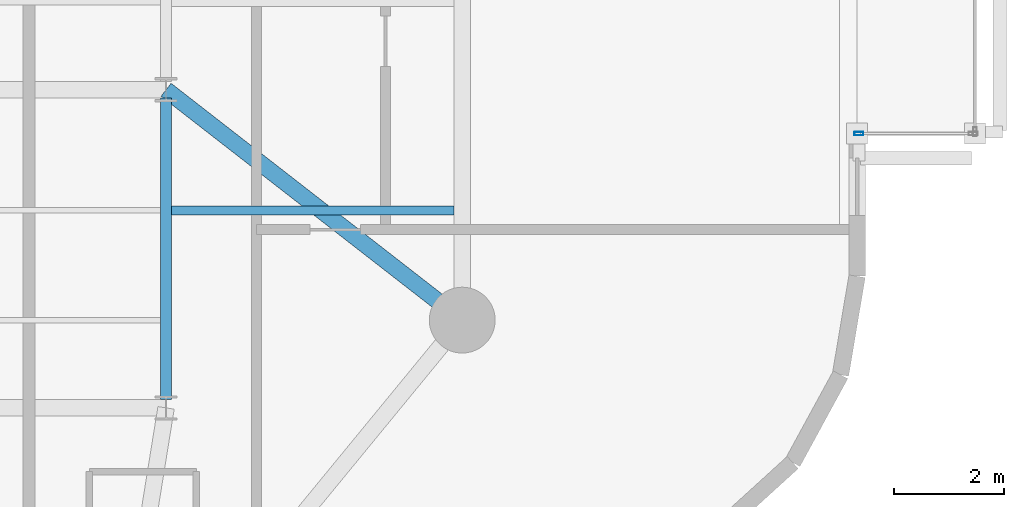
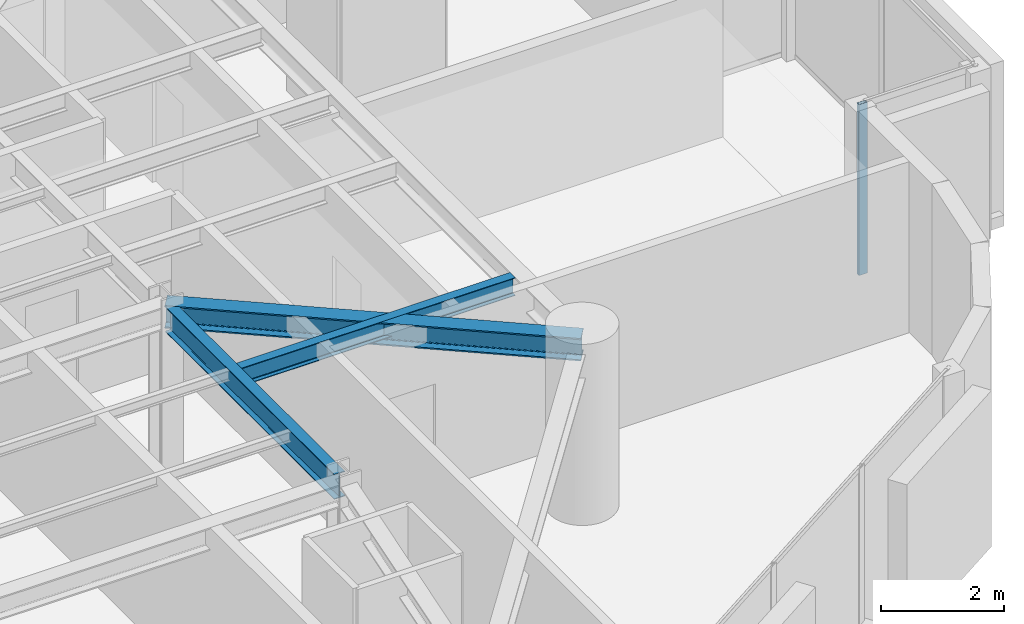
# One storey, part 3 of 16: 3 beams, 1 member, 1 element without a shape of its own.
"""IFC4 building model written with IfcOpenShell, lengths in metres."""

from ifc_helpers import new_model, si_unit, direction, frame, origin, origin_2d, place, context, subcontext, project, spatial, hollow_rectangle, i_section, extrude, material, layer, layer_set, material_profile, profile_set, type_object, element, aggregate, save


model = new_model("IFC4")

# Units and contexts
model_context = context("Model", 3, precision=1e-05, world=origin(), true_north=direction((0.0, 1.0)))
body_context = subcontext(model_context, "Body", "Model", "MODEL_VIEW")
ifc_project = project(units=[si_unit("LENGTHUNIT", "METRE"), si_unit("AREAUNIT", "SQUARE_METRE"), si_unit("VOLUMEUNIT", "CUBIC_METRE"), si_unit("PLANEANGLEUNIT", "RADIAN"), si_unit("MASSUNIT", "GRAM", prefix="KILO")], contexts=[model_context])

# Site, building, storey
site_placement = place(None, origin())
site = spatial("IfcSite", under=ifc_project, at=site_placement, CompositionType="ELEMENT")
building_placement = place(site_placement, origin())
building = spatial("IfcBuilding", under=site, at=building_placement, Name="An Khanh Terracotta Commons", CompositionType="ELEMENT")
storey_placement = place(building_placement, frame((0.0, 0.0, 151.0)))
storey = spatial("IfcBuildingStorey", under=building, at=storey_placement, Name="L39", CompositionType="ELEMENT", Elevation=151.0)

# Beams
ifc_material_1 = material(Name="Steel S355J2", Category="steel")
ifc_material_profile_1 = material_profile(ifc_material_1, i_section(OverallWidth=0.300048828125, OverallDepth=0.449951171875, WebThickness=0.013916015625, FlangeThickness=0.02587890625, FilletRadius=0.027099609375, at=origin_2d()), Name="HEB450")
ifc_profile_set_1 = profile_set([ifc_material_profile_1], Name="Steel S355J2")
beam_type_1 = type_object("IfcBeamType", Name="BM-HEB450", PredefinedType="BEAM", material=ifc_profile_set_1)
beam_1_placement = place(storey_placement, frame((55.800048828125, 16.0, 3.175048828125), z_axis=(-0.789363746927, 0.61392578952, 0.0), x_axis=(-0.61392578952, -0.789363746927, 0.0)))
element("IfcBeam", 1, at=beam_1_placement, inside=storey, type_object=beam_type_1, Name="L39 Mega-Column Tie Girder 3", PredefinedType="BEAM", context=body_context, shape_type="SweptSolid", body=[
    extrude(i_section(OverallWidth=0.300048828125, OverallDepth=0.449951171875, WebThickness=0.013916015625, FlangeThickness=0.02587890625, FilletRadius=0.027099609375, at=origin_2d()), origin(), (0.0, 0.0, 1.0), 6.841064453125),
])
ifc_material_profile_2 = material_profile(ifc_material_1, i_section(OverallWidth=0.169921875, OverallDepth=0.360107421875, WebThickness=0.008056640625, FlangeThickness=0.0126953125, FilletRadius=0.01806640625, at=origin_2d()), Name="IPE360")
ifc_profile_set_2 = profile_set([ifc_material_profile_2], Name="Steel S355J2")
beam_type_2 = type_object("IfcBeamType", Name="BM-IPE360", PredefinedType="JOIST", material=ifc_profile_set_2)
beam_2_placement = place(storey_placement, frame((50.5, 18.0, 3.219970703125), z_axis=(1.0, 0.0, 0.0), x_axis=(0.0, 1.0, 0.0)))
element("IfcBeam", 2, at=beam_2_placement, inside=storey, type_object=beam_type_2, Name="L39 Riverfront Composite Joist 2", PredefinedType="JOIST", context=body_context, shape_type="SweptSolid", body=[
    extrude(i_section(OverallWidth=0.169921875, OverallDepth=0.360107421875, WebThickness=0.008056640625, FlangeThickness=0.0126953125, FilletRadius=0.01806640625, at=origin_2d()), origin(), (0.0, 0.0, 1.0), 5.14990234375),
])
ifc_material_profile_3 = material_profile(ifc_material_1, i_section(OverallWidth=0.199951171875, OverallDepth=0.5, WebThickness=0.01025390625, FlangeThickness=0.01611328125, FilletRadius=0.02099609375, at=origin_2d()), Name="IPE500")
ifc_profile_set_3 = profile_set([ifc_material_profile_3], Name="Steel S355J2")
beam_type_3 = type_object("IfcBeamType", Name="BM-IPE500", PredefinedType="BEAM", material=ifc_profile_set_3)
beam_3_placement = place(storey_placement, frame((50.39990234375, 14.550048828125, 3.14990234375), z_axis=(0.0, 1.0, 0.0), x_axis=(-1.0, 0.0, 0.0)))
element("IfcBeam", 3, at=beam_3_placement, inside=storey, type_object=beam_type_3, Name="L39 East Spine Girder 1", PredefinedType="BEAM", context=body_context, shape_type="SweptSolid", body=[
    extrude(i_section(OverallWidth=0.199951171875, OverallDepth=0.5, WebThickness=0.01025390625, FlangeThickness=0.01611328125, FilletRadius=0.02099609375, at=origin_2d()), origin(), (0.0, 0.0, 1.0), 5.5),
])

# Curtain wall, member
ifc_material_2 = material(Name="Anodised Aluminium 6063-T6", Category="aluminium")
ifc_layer = layer(ifc_material_2, 0.239990234375, Name="Anodised Aluminium 6063-T6")
ifc_layer_set = layer_set([ifc_layer], Name="Anodised Aluminium 6063-T6")
curtain_wall_type = type_object("IfcCurtainWallType", Name="CW-SYS-04", PredefinedType="USERDEFINED", material=ifc_layer_set)
curtain_wall_placement = place(storey_placement, origin())
curtain_wall = element("IfcCurtainWall", 4, at=curtain_wall_placement, inside=storey, type_object=curtain_wall_type, Name="L39 CW-04 Unitised Curtain Wall CW-L39-EBOX-2", ObjectType="UNITISED CURTAIN WALL", PredefinedType="USERDEFINED")
ifc_material_profile_4 = material_profile(ifc_material_2, hollow_rectangle(XDim=0.06494140625, YDim=0.1650390625, WallThickness=0.00390625, InnerFilletRadius=0.00390625, OuterFilletRadius=0.008056640625, at=origin_2d()), Name="RHS165x65x4")
ifc_profile_set_4 = profile_set([ifc_material_profile_4], Name="Anodised Aluminium 6063-T6")
member_type = type_object("IfcMemberType", Name="CWM-RHS165x65x4", PredefinedType="MULLION", material=ifc_profile_set_4)
member_placement = place(storey_placement, frame((63.032470703125, 19.39990234375, 0.0), z_axis=(0.0, 0.0, 1.0), x_axis=(0.0, 1.0, 0.0)))
member = element("IfcMember", 5, at=member_placement, type_object=member_type, Name="CW-04 mullion 1", PredefinedType="MULLION", context=body_context, shape_type="SweptSolid", body=[
    extrude(hollow_rectangle(XDim=0.06494140625, YDim=0.1650390625, WallThickness=0.00390625, InnerFilletRadius=0.00390625, OuterFilletRadius=0.008056640625, at=origin_2d()), origin(), (0.0, 0.0, 1.0), 3.39990234375),
])
aggregate(curtain_wall, [member])

save(model, "model.ifc")
